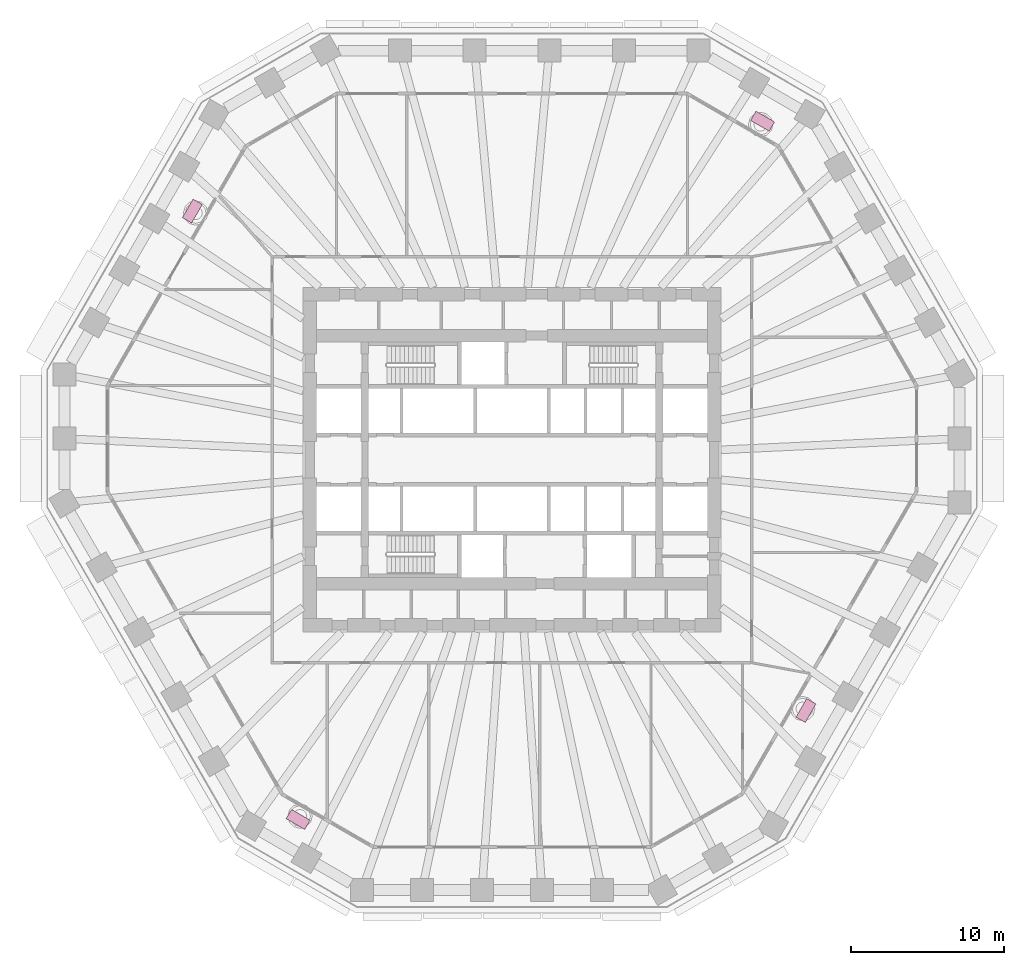
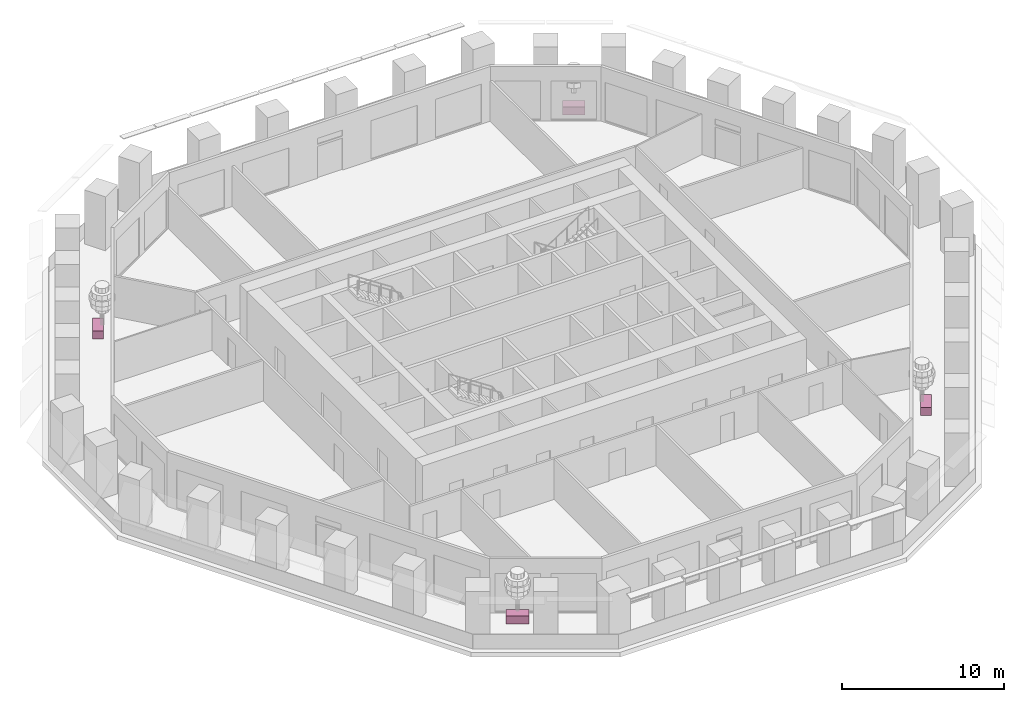
# One storey, part 11 of 12: 4 furniture elements.
"""IFC4 building model written with IfcOpenShell, lengths in metres."""

from ifc_helpers import new_model, si_unit, direction, frame, origin, origin_2d, place, context, subcontext, project, spatial, rectangle, extrude, material, type_object, element, save


model = new_model("IFC4")

# Units and contexts
model_context = context("Model", 3, precision=1e-05, world=origin(), true_north=direction((0.0, 1.0)))
body_context = subcontext(model_context, "Body", "Model", "MODEL_VIEW")
ifc_project = project(units=[si_unit("LENGTHUNIT", "METRE"), si_unit("AREAUNIT", "SQUARE_METRE"), si_unit("VOLUMEUNIT", "CUBIC_METRE"), si_unit("PLANEANGLEUNIT", "RADIAN"), si_unit("MASSUNIT", "GRAM", prefix="KILO")], contexts=[model_context])

# Site, building, storey
site_placement = place(None, origin())
site = spatial("IfcSite", under=ifc_project, at=site_placement, CompositionType="ELEMENT")
building_placement = place(site_placement, origin())
building = spatial("IfcBuilding", under=site, at=building_placement, Name="Frailejon Research Tower", CompositionType="ELEMENT")
storey_placement = place(building_placement, frame((0.0, 0.0, 58.60009765625)))
storey = spatial("IfcBuildingStorey", under=building, at=storey_placement, Name="L13", CompositionType="ELEMENT", Elevation=58.60009765625)

# Furniture
ifc_material = material(Name="Precast concrete C30/37 planter, terracotta", Category="masonry")
furniture_type = type_object("IfcFurnitureType", Name="Loggia planter 1400x700", AssemblyPlace="NOTDEFINED", PredefinedType="USERDEFINED", material=ifc_material)
for number, where, z_axis, x_axis, name in (
    (1, (16.35302734375, 22.0947265625, -0.000244140625), (0.0, 0.0, 1.0), (-0.866025403784, 0.5, 0.0), "Planter L13"),
    (2, (-20.86328125, 16.229248046875, -0.000244140625), (0.0, 0.0, 1.0), (-0.5, -0.866025403784, 0.0), "Planter L13"),
    (3, (-13.9580078125, -23.4775390625, -0.000244140625), (0.0, 0.0, 1.0), (0.866025403784, -0.5, 0.0), "Planter L13"),
    (4, (19.186767578125, -16.367431640625, -0.000244140625), (0.0, 0.0, 1.0), (0.5, 0.866025403784, 0.0), "Planter L13"),
):
    element("IfcFurniture", number, at=place(storey_placement, frame(where, z_axis=z_axis, x_axis=x_axis)), inside=storey, type_object=furniture_type, Name=name, ObjectType="PLANTER", PredefinedType="USERDEFINED", context=body_context, shape_type="SweptSolid", body=[
        extrude(rectangle(XDim=1.39990234375, YDim=0.699951171875, at=origin_2d()), origin(), (0.0, 0.0, 1.0), 0.60009765625),
    ])

save(model, "model.ifc")
